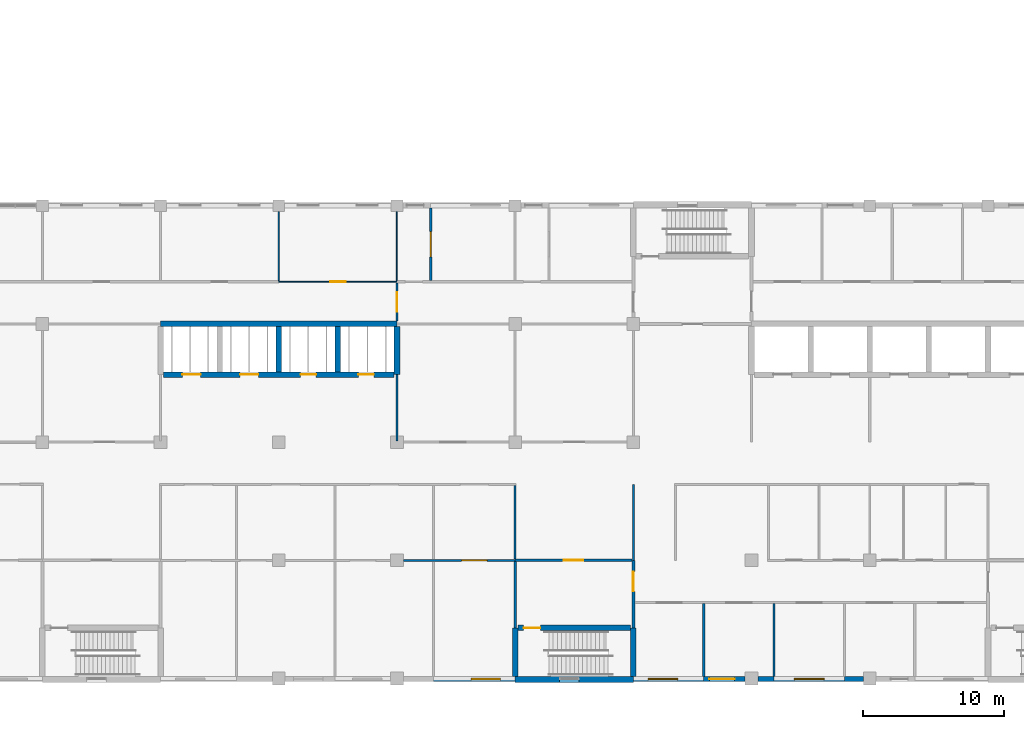
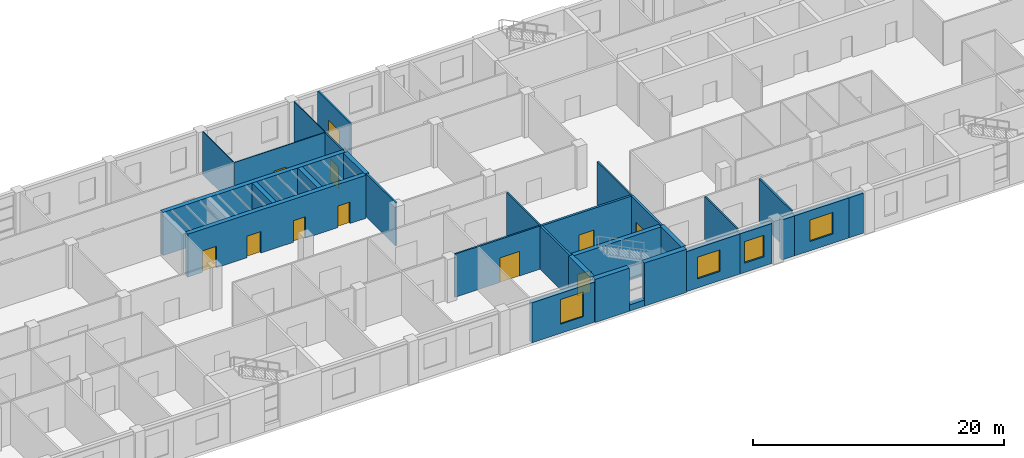
# One storey, part 39 of 66: 31 walls, 11 doors, 4 windows, 15 openings.
"""IFC4 building model written with IfcOpenShell, lengths in metres."""

from ifc_helpers import new_model, si_unit, direction, frame, frame_2d, origin, place, context, subcontext, project, spatial, rectangle, extrude, material, layer, layer_set, type_object, element, fill, save


model = new_model("IFC4")

# Units and contexts
model_context = context("Model", 3, precision=1e-05, world=origin(), true_north=direction((0.0, 1.0)))
body_context = subcontext(model_context, "Body", "Model", "MODEL_VIEW")
ifc_project = project(units=[si_unit("LENGTHUNIT", "METRE"), si_unit("AREAUNIT", "SQUARE_METRE"), si_unit("VOLUMEUNIT", "CUBIC_METRE"), si_unit("PLANEANGLEUNIT", "RADIAN"), si_unit("MASSUNIT", "GRAM", prefix="KILO")], contexts=[model_context])

# Site, building, storey
site_placement = place(None, origin())
site = spatial("IfcSite", under=ifc_project, at=site_placement, CompositionType="ELEMENT")
building_placement = place(site_placement, origin())
building = spatial("IfcBuilding", under=site, at=building_placement, Name="Yavir Park General Hospital", CompositionType="ELEMENT")
storey_placement = place(building_placement, frame((0.0, 0.0, 8.39990234375)))
storey = spatial("IfcBuildingStorey", under=building, at=storey_placement, Name="L02", CompositionType="ELEMENT", Elevation=8.39990234375)

# Wall, opening, door
ifc_material_1 = material(Name="Laminate-faced cubicle partition")
ifc_layer_1 = layer(ifc_material_1, 0.074951171875)
ifc_layer_set_1 = layer_set([ifc_layer_1], Name="Laminate-faced cubicle partition")
wall_type_1 = type_object("IfcWallType", Name="Cubicle partition 75", PredefinedType="PARTITIONING", material=ifc_layer_set_1)
wall_1_placement = place(storey_placement, frame((84.0, 28.199951171875, 0.0), z_axis=(0.0, 0.0, 1.0), x_axis=(1.0, 0.0, 0.0)))
wall_1 = element("IfcWall", 1, at=wall_1_placement, inside=storey, type_object=wall_type_1, Name="CP75 L02-075", PredefinedType="PARTITIONING", context=body_context, shape_type="SweptSolid", body=[
    extrude(rectangle(XDim=8.39990234375, YDim=0.074951171875, at=frame_2d((4.199951171875, 0.0))), origin(), (0.0, 0.0, 1.0), 4.2001953125),
])
opening_1_placement = place(wall_1_placement, frame((3.64990234375, 0.0, 0.0)))
opening_1 = element("IfcOpeningElement", 2, at=opening_1_placement, cuts=wall_1, Name="Opening L02.D086", PredefinedType="OPENING", context=body_context, shape_type="SweptSolid", body=[
    extrude(rectangle(XDim=1.10009765625, YDim=2.10009765625, at=frame_2d((0.550048828125, 1.050048828125))), frame((0.0, 0.04736328125, 0.0), z_axis=(0.0, -1.0, 0.0), x_axis=(1.0, 0.0, 0.0)), (0.0, 0.0, 1.0), 0.094970703125),
])
ifc_material_2 = material(Name="Hollow metal frame, solid-core timber leaf", Category="wood")
door_type_1 = type_object("IfcDoorType", Name="Single swing door 1100 x 2100", OperationType="SINGLE_SWING_LEFT", PredefinedType="DOOR", material=ifc_material_2)
door_1_placement = place(opening_1_placement, origin())
door_1 = element("IfcDoor", 3, at=door_1_placement, inside=storey, type_object=door_type_1, Name="L02.D086", OperationType="SINGLE_SWING_RIGHT", OverallHeight=2.10009765625, OverallWidth=1.10009765625, PredefinedType="DOOR", context=body_context, shape_type="SweptSolid", body=[
    extrude(rectangle(XDim=1.10009765625, YDim=2.10009765625, at=frame_2d((0.550048828125, 1.050048828125))), frame((0.0, 0.02490234375, 0.0), z_axis=(0.0, -1.0, 0.0), x_axis=(1.0, 0.0, 0.0)), (0.0, 0.0, 1.0), 0.050048828125),
])
fill(opening_1, door_1)

# Walls
for number, where, z_axis, x_axis, name in (
    (4, (84.0, 28.27490234375, 0.0), (0.0, 0.0, 1.0), (0.0, 1.0, 0.0), "CP75 L02-263"),
    (5, (92.39990234375, 28.27490234375, 0.0), (0.0, 0.0, 1.0), (0.0, 1.0, 0.0), "CP75 L02-270"),
):
    element("IfcWall", number, at=place(storey_placement, frame(where, z_axis=z_axis, x_axis=x_axis)), inside=storey, type_object=wall_type_1, Name=name, PredefinedType="PARTITIONING", context=body_context, shape_type="SweptSolid", body=[
        extrude(rectangle(XDim=4.900146484375, YDim=0.074951171875, at=frame_2d((2.4501953125, 0.0))), origin(), (0.0, 0.0, 1.0), 4.2001953125),
    ])

# Wall, opening, door
ifc_material_3 = material(Name="Double gypsum board fire partition on steel studs", Category="steel")
ifc_layer_2 = layer(ifc_material_3, 0.199951171875)
ifc_layer_set_2 = layer_set([ifc_layer_2], Name="Double gypsum board fire partition on steel studs")
wall_type_2 = type_object("IfcWallType", Name="Fire-rated partition 200, EI 60", PredefinedType="PARTITIONING", material=ifc_layer_set_2)
wall_2_placement = place(storey_placement, frame((100.800048828125, 8.39990234375, 0.0), z_axis=(0.0, 0.0, 1.0), x_axis=(1.0, 0.0, 0.0)))
wall_2 = element("IfcWall", 6, at=wall_2_placement, inside=storey, type_object=wall_type_2, Name="FP20 L02-019", PredefinedType="PARTITIONING", context=body_context, shape_type="SweptSolid", body=[
    extrude(rectangle(XDim=8.300048828125, YDim=0.199951171875, at=frame_2d((4.14990234375, 0.0))), origin(), (0.0, 0.0, 1.0), 4.2001953125),
])
opening_2_placement = place(wall_2_placement, frame((3.449951171875, 0.0, 0.0)))
opening_2 = element("IfcOpeningElement", 7, at=opening_2_placement, cuts=wall_2, Name="Opening L02.D029", PredefinedType="OPENING", context=body_context, shape_type="SweptSolid", body=[
    extrude(rectangle(XDim=1.39990234375, YDim=2.10009765625, at=frame_2d((0.699951171875, 1.050048828125))), frame((0.0, 0.10986328125, 0.0), z_axis=(0.0, -1.0, 0.0), x_axis=(1.0, 0.0, 0.0)), (0.0, 0.0, 1.0), 0.219970703125),
])
ifc_material_4 = material(Name="Steel frame, fire-resisting timber leaves", Category="steel")
door_type_2 = type_object("IfcDoorType", Name="Double fire door 1400 x 2100, EI 60", OperationType="DOUBLE_DOOR_SINGLE_SWING", PredefinedType="DOOR", material=ifc_material_4)
door_2_placement = place(opening_2_placement, origin())
door_2 = element("IfcDoor", 8, at=door_2_placement, inside=storey, type_object=door_type_2, Name="L02.D029", OperationType="SINGLE_SWING_LEFT", OverallHeight=2.10009765625, OverallWidth=1.39990234375, PredefinedType="DOOR", context=body_context, shape_type="SweptSolid", body=[
    extrude(rectangle(XDim=1.39990234375, YDim=2.10009765625, at=frame_2d((0.699951171875, 1.050048828125))), frame((0.0, 0.02490234375, 0.0), z_axis=(0.0, -1.0, 0.0), x_axis=(1.0, 0.0, 0.0)), (0.0, 0.0, 1.0), 0.050048828125),
])
fill(opening_2, door_2)

# Wall
wall_3_placement = place(storey_placement, frame((100.800048828125, 3.60009765625, 0.0), z_axis=(0.0, 0.0, 1.0), x_axis=(0.0, 1.0, 0.0)))
element("IfcWall", 9, at=wall_3_placement, inside=storey, type_object=wall_type_2, Name="FP20 L02-275", PredefinedType="PARTITIONING", context=body_context, shape_type="SweptSolid", body=[
    extrude(rectangle(XDim=4.699951171875, YDim=0.199951171875, at=frame_2d((2.35009765625, 0.0))), origin(), (0.0, 0.0, 1.0), 4.2001953125),
])

# Wall, opening, door
wall_4_placement = place(storey_placement, frame((109.199951171875, 3.60009765625, 0.0), z_axis=(0.0, 0.0, 1.0), x_axis=(0.0, 1.0, 0.0)))
wall_4 = element("IfcWall", 10, at=wall_4_placement, inside=storey, type_object=wall_type_2, Name="FP20 L02-281", PredefinedType="PARTITIONING", context=body_context, shape_type="SweptSolid", body=[
    extrude(rectangle(XDim=4.7998046875, YDim=0.199951171875, at=frame_2d((2.39990234375, 0.0))), origin(), (0.0, 0.0, 1.0), 4.2001953125),
])
opening_3_placement = place(wall_4_placement, frame((2.60009765625, 0.0, 0.0)))
opening_3 = element("IfcOpeningElement", 11, at=opening_3_placement, cuts=wall_4, Name="Opening L02.D181", PredefinedType="OPENING", context=body_context, shape_type="SweptSolid", body=[
    extrude(rectangle(XDim=1.39990234375, YDim=2.10009765625, at=frame_2d((0.699951171875, 1.050048828125))), frame((0.0, 0.10986328125, 0.0), z_axis=(0.0, -1.0, 0.0), x_axis=(1.0, 0.0, 0.0)), (0.0, 0.0, 1.0), 0.219970703125),
])
ifc_material_5 = material(Name="Steel frame, fire-resisting leaves with vision panels", Category="steel")
door_type_3 = type_object("IfcDoorType", Name="Double fire door with vision panels 1400 x 2100, EI 60", OperationType="DOUBLE_DOOR_SINGLE_SWING", PredefinedType="DOOR", material=ifc_material_5)
door_3_placement = place(opening_3_placement, origin())
door_3 = element("IfcDoor", 12, at=door_3_placement, inside=storey, type_object=door_type_3, Name="L02.D181", OperationType="SINGLE_SWING_LEFT", OverallHeight=2.10009765625, OverallWidth=1.39990234375, PredefinedType="DOOR", context=body_context, shape_type="SweptSolid", body=[
    extrude(rectangle(XDim=1.39990234375, YDim=2.10009765625, at=frame_2d((0.699951171875, 1.050048828125))), frame((0.0, 0.030029296875, 0.0), z_axis=(0.0, -1.0, 0.0), x_axis=(1.0, 0.0, 0.0)), (0.0, 0.0, 1.0), 0.06005859375),
])
fill(opening_3, door_3)

ifc_material_6 = material(Name="Gypsum board partition on steel studs", Category="steel")
ifc_layer_3 = layer(ifc_material_6, 0.14990234375)
ifc_layer_set_3 = layer_set([ifc_layer_3], Name="Gypsum board partition on steel studs")
wall_type_3 = type_object("IfcWallType", Name="Gypsum board partition 150", PredefinedType="PARTITIONING", material=ifc_layer_set_3)
wall_5_placement = place(storey_placement, frame((92.85009765625, 8.39990234375, 0.0), z_axis=(0.0, 0.0, 1.0), x_axis=(1.0, 0.0, 0.0)))
wall_5 = element("IfcWall", 13, at=wall_5_placement, inside=storey, type_object=wall_type_3, Name="P15 L02-018", PredefinedType="PARTITIONING", context=body_context, shape_type="SweptSolid", body=[
    extrude(rectangle(XDim=7.949951171875, YDim=0.14990234375, at=frame_2d((3.97509765625, 0.0))), origin(), (0.0, 0.0, 1.0), 4.2001953125),
])
opening_4_placement = place(wall_5_placement, frame((4.14990234375, 0.0, 0.0)))
opening_4 = element("IfcOpeningElement", 14, at=opening_4_placement, cuts=wall_5, Name="Opening L02.D028", PredefinedType="OPENING", context=body_context, shape_type="SweptSolid", body=[
    extrude(rectangle(XDim=1.800048828125, YDim=2.39990234375, at=frame_2d((0.89990234375, 1.199951171875))), frame((0.0, 0.0849609375, 0.0), z_axis=(0.0, -1.0, 0.0), x_axis=(1.0, 0.0, 0.0)), (0.0, 0.0, 1.0), 0.169921875),
])
ifc_material_7 = material(Name="Hermetic steel-faced sliding leaves, hygienic coating", Category="steel")
door_type_4 = type_object("IfcDoorType", Name="Sterile bi-parting sliding door 1800 x 2400", OperationType="DOUBLE_DOOR_SLIDING", PredefinedType="DOOR", material=ifc_material_7)
door_4_placement = place(opening_4_placement, origin())
door_4 = element("IfcDoor", 15, at=door_4_placement, inside=storey, type_object=door_type_4, Name="L02.D028", OperationType="DOUBLE_DOOR_SLIDING", OverallHeight=2.39990234375, OverallWidth=1.800048828125, PredefinedType="DOOR", context=body_context, shape_type="SweptSolid", body=[
    extrude(rectangle(XDim=1.800048828125, YDim=2.39990234375, at=frame_2d((0.89990234375, 1.199951171875))), frame((0.0, 0.044921875, 0.0), z_axis=(0.0, -1.0, 0.0), x_axis=(1.0, 0.0, 0.0)), (0.0, 0.0, 1.0), 0.090087890625),
])
fill(opening_4, door_4)

# Wall
wall_6_placement = place(storey_placement, frame((92.39990234375, 16.875, 0.0), z_axis=(0.0, 0.0, 1.0), x_axis=(0.0, 1.0, 0.0)))
element("IfcWall", 16, at=wall_6_placement, inside=storey, type_object=wall_type_3, Name="P15 L02-267", PredefinedType="PARTITIONING", context=body_context, shape_type="SweptSolid", body=[
    extrude(rectangle(XDim=4.72509765625, YDim=0.14990234375, at=frame_2d((2.362548828125, 0.0))), origin(), (0.0, 0.0, 1.0), 4.2001953125),
])

# Wall, opening, door
wall_7_placement = place(storey_placement, frame((92.39990234375, 25.39990234375, 0.0), z_axis=(0.0, 0.0, 1.0), x_axis=(0.0, 1.0, 0.0)))
wall_7 = element("IfcWall", 17, at=wall_7_placement, inside=storey, type_object=wall_type_3, Name="P15 L02-269", PredefinedType="PARTITIONING", context=body_context, shape_type="SweptSolid", body=[
    extrude(rectangle(XDim=2.72509765625, YDim=0.14990234375, at=frame_2d((1.362548828125, 0.0))), origin(), (0.0, 0.0, 1.0), 4.2001953125),
])
opening_5_placement = place(wall_7_placement, frame((0.66259765625, 0.0, 0.0)))
opening_5 = element("IfcOpeningElement", 18, at=opening_5_placement, cuts=wall_7, Name="Opening L02.D178", PredefinedType="OPENING", context=body_context, shape_type="SweptSolid", body=[
    extrude(rectangle(XDim=1.39990234375, YDim=2.10009765625, at=frame_2d((0.699951171875, 1.050048828125))), frame((0.0, 0.0849609375, 0.0), z_axis=(0.0, -1.0, 0.0), x_axis=(1.0, 0.0, 0.0)), (0.0, 0.0, 1.0), 0.169921875),
])
ifc_material_8 = material(Name="Hollow metal frame, solid-core timber leaf", Category="wood")
door_type_5 = type_object("IfcDoorType", Name="Double swing door 1400 x 2100", OperationType="DOUBLE_DOOR_SINGLE_SWING", PredefinedType="DOOR", material=ifc_material_8)
door_5_placement = place(opening_5_placement, origin())
door_5 = element("IfcDoor", 19, at=door_5_placement, inside=storey, type_object=door_type_5, Name="L02.D178", OperationType="SINGLE_SWING_LEFT", OverallHeight=2.10009765625, OverallWidth=1.39990234375, PredefinedType="DOOR", context=body_context, shape_type="SweptSolid", body=[
    extrude(rectangle(XDim=1.39990234375, YDim=2.10009765625, at=frame_2d((0.699951171875, 1.050048828125))), frame((0.0, 0.02490234375, 0.0), z_axis=(0.0, -1.0, 0.0), x_axis=(1.0, 0.0, 0.0)), (0.0, 0.0, 1.0), 0.050048828125),
])
fill(opening_5, door_5)

wall_8_placement = place(storey_placement, frame((94.800048828125, 28.27490234375, 0.0), z_axis=(0.0, 0.0, 1.0), x_axis=(0.0, 1.0, 0.0)))
wall_8 = element("IfcWall", 20, at=wall_8_placement, inside=storey, type_object=wall_type_3, Name="P15 L02-271", PredefinedType="PARTITIONING", context=body_context, shape_type="SweptSolid", body=[
    extrude(rectangle(XDim=5.175048828125, YDim=0.14990234375, at=frame_2d((2.58740234375, 0.0))), origin(), (0.0, 0.0, 1.0), 4.2001953125),
])
opening_6_placement = place(wall_8_placement, frame((1.6875, 0.0, 0.0)))
opening_6 = element("IfcOpeningElement", 21, at=opening_6_placement, cuts=wall_8, Name="Opening L02.D179", PredefinedType="OPENING", context=body_context, shape_type="SweptSolid", body=[
    extrude(rectangle(XDim=1.800048828125, YDim=2.39990234375, at=frame_2d((0.89990234375, 1.199951171875))), frame((0.0, 0.0849609375, 0.0), z_axis=(0.0, -1.0, 0.0), x_axis=(1.0, 0.0, 0.0)), (0.0, 0.0, 1.0), 0.169921875),
])
ifc_material_9 = material(Name="Sealed steel door leaves, compression seals", Category="steel")
door_type_6 = type_object("IfcDoorType", Name="Isolation airlock double door 1800 x 2400", OperationType="DOUBLE_DOOR_SINGLE_SWING", PredefinedType="DOOR", material=ifc_material_9)
door_6_placement = place(opening_6_placement, origin())
door_6 = element("IfcDoor", 22, at=door_6_placement, inside=storey, type_object=door_type_6, Name="L02.D179", OperationType="SINGLE_SWING_RIGHT", OverallHeight=2.39990234375, OverallWidth=1.800048828125, PredefinedType="DOOR", context=body_context, shape_type="SweptSolid", body=[
    extrude(rectangle(XDim=1.800048828125, YDim=2.39990234375, at=frame_2d((0.89990234375, 1.199951171875))), frame((0.0, 0.050048828125, 0.0), z_axis=(0.0, -1.0, 0.0), x_axis=(1.0, 0.0, 0.0)), (0.0, 0.0, 1.0), 0.10009765625),
])
fill(opening_6, door_6)

# Walls
wall_9_placement = place(storey_placement, frame((100.800048828125, 8.5, 0.0), z_axis=(0.0, 0.0, 1.0), x_axis=(0.0, 1.0, 0.0)))
element("IfcWall", 23, at=wall_9_placement, inside=storey, type_object=wall_type_3, Name="P15 L02-276", PredefinedType="PARTITIONING", context=body_context, shape_type="SweptSolid", body=[
    extrude(rectangle(XDim=5.22509765625, YDim=0.14990234375, at=frame_2d((2.612548828125, 0.0))), origin(), (0.0, 0.0, 1.0), 4.2001953125),
])
wall_10_placement = place(storey_placement, frame((109.199951171875, 8.39990234375, 0.0), z_axis=(0.0, 0.0, 1.0), x_axis=(0.0, 1.0, 0.0)))
element("IfcWall", 24, at=wall_10_placement, inside=storey, type_object=wall_type_3, Name="P15 L02-282", PredefinedType="PARTITIONING", context=body_context, shape_type="SweptSolid", body=[
    extrude(rectangle(XDim=5.400146484375, YDim=0.14990234375, at=frame_2d((2.7001953125, 0.0))), origin(), (0.0, 0.0, 1.0), 4.2001953125),
])
for number, where, z_axis, x_axis, name in (
    (25, (114.199951171875, 0.14990234375, 0.0), (0.0, 0.0, 1.0), (0.0, 1.0, 0.0), "P15 L02-287"),
    (26, (119.199951171875, 0.14990234375, 0.0), (0.0, 0.0, 1.0), (0.0, 1.0, 0.0), "P15 L02-293"),
):
    element("IfcWall", number, at=place(storey_placement, frame(where, z_axis=z_axis, x_axis=x_axis)), inside=storey, type_object=wall_type_3, Name=name, PredefinedType="PARTITIONING", context=body_context, shape_type="SweptSolid", body=[
        extrude(rectangle(XDim=5.175048828125, YDim=0.14990234375, at=frame_2d((2.58740234375, 0.0))), origin(), (0.0, 0.0, 1.0), 4.2001953125),
    ])

# Wall, opening, window
ifc_material_10 = material(Name="Autoclaved aerated block, 150 mm mineral wool and sand-coloured mineral render")
ifc_layer_4 = layer(ifc_material_10, 0.375)
ifc_layer_set_4 = layer_set([ifc_layer_4], Name="Autoclaved aerated block, 150 mm mineral wool and sand-coloured mineral render")
wall_type_4 = type_object("IfcWallType", Name="Mineral render clinical wall 375, E 30", PredefinedType="SOLIDWALL", material=ifc_layer_set_4)
wall_11_placement = place(storey_placement, frame((95.0, -0.03759765625, 0.0), z_axis=(0.0, 0.0, 1.0), x_axis=(1.0, 0.0, 0.0)))
wall_11 = element("IfcWall", 27, at=wall_11_placement, inside=storey, type_object=wall_type_4, Name="XW1 L02-024", PredefinedType="SOLIDWALL", context=body_context, shape_type="SweptSolid", body=[
    extrude(rectangle(XDim=5.800048828125, YDim=0.375, at=frame_2d((2.89990234375, 0.0))), origin(), (0.0, 0.0, 1.0), 3.900146484375),
])
opening_7_placement = place(wall_11_placement, frame((2.64990234375, 0.0, 0.89990234375)))
opening_7 = element("IfcOpeningElement", 28, at=opening_7_placement, cuts=wall_11, Name="Opening LVO2", PredefinedType="OPENING", context=body_context, shape_type="SweptSolid", body=[
    extrude(rectangle(XDim=2.10009765625, YDim=2.39990234375, at=frame_2d((1.050048828125, 1.199951171875))), frame((0.0, 0.197509765625, 0.0), z_axis=(0.0, -1.0, 0.0), x_axis=(1.0, 0.0, 0.0)), (0.0, 0.0, 1.0), 0.39501953125),
])
ifc_material_11 = material(Name="Anodised aluminium louvre blades in a deep frame", Category="aluminium")
window_type_1 = type_object("IfcWindowType", Name="Tall fixed louvre panel with insulated back panel 2100 x 2400", PartitioningType="SINGLE_PANEL", PredefinedType="WINDOW", material=ifc_material_11)
window_1_placement = place(opening_7_placement, origin())
window_1 = element("IfcWindow", 29, at=window_1_placement, inside=storey, type_object=window_type_1, Name="LVO2 L02-009", OverallHeight=2.39990234375, OverallWidth=2.10009765625, PartitioningType="SINGLE_PANEL", PredefinedType="WINDOW", context=body_context, shape_type="SweptSolid", body=[
    extrude(rectangle(XDim=2.10009765625, YDim=2.39990234375, at=frame_2d((1.050048828125, 1.199951171875))), frame((0.0, 0.074951171875, 0.0), z_axis=(0.0, -1.0, 0.0), x_axis=(1.0, 0.0, 0.0)), (0.0, 0.0, 1.0), 0.14990234375),
])
fill(opening_7, window_1)

wall_12_placement = place(storey_placement, frame((109.199951171875, -0.03759765625, 0.0), z_axis=(0.0, 0.0, 1.0), x_axis=(1.0, 0.0, 0.0)))
wall_12 = element("IfcWall", 30, at=wall_12_placement, inside=storey, type_object=wall_type_4, Name="XW1 L02-028", PredefinedType="SOLIDWALL", context=body_context, shape_type="SweptSolid", body=[
    extrude(rectangle(XDim=5.0, YDim=0.375, at=frame_2d((2.5, 0.0))), origin(), (0.0, 0.0, 1.0), 3.900146484375),
])
opening_8_placement = place(wall_12_placement, frame((1.050048828125, 0.0, 0.89990234375)))
opening_8 = element("IfcOpeningElement", 31, at=opening_8_placement, cuts=wall_12, Name="Opening WI2", PredefinedType="OPENING", context=body_context, shape_type="SweptSolid", body=[
    extrude(rectangle(XDim=2.10009765625, YDim=2.10009765625, at=frame_2d((1.050048828125, 1.050048828125))), frame((0.0, 0.197509765625, 0.0), z_axis=(0.0, -1.0, 0.0), x_axis=(1.0, 0.0, 0.0)), (0.0, 0.0, 1.0), 0.39501953125),
])
ifc_material_12 = material(Name="Aluminium frame, acoustic glazed unit", Category="aluminium")
window_type_2 = type_object("IfcWindowType", Name="Tall acoustic glazed window 2100 x 2100", PartitioningType="SINGLE_PANEL", PredefinedType="WINDOW", material=ifc_material_12)
window_2_placement = place(opening_8_placement, origin())
window_2 = element("IfcWindow", 32, at=window_2_placement, inside=storey, type_object=window_type_2, Name="WI2 L02-010", OverallHeight=2.10009765625, OverallWidth=2.10009765625, PartitioningType="SINGLE_PANEL", PredefinedType="WINDOW", context=body_context, shape_type="SweptSolid", body=[
    extrude(rectangle(XDim=2.10009765625, YDim=2.10009765625, at=frame_2d((1.050048828125, 1.050048828125))), frame((0.0, 0.044921875, 0.0), z_axis=(0.0, -1.0, 0.0), x_axis=(1.0, 0.0, 0.0)), (0.0, 0.0, 1.0), 0.090087890625),
])
fill(opening_8, window_2)

wall_13_placement = place(storey_placement, frame((114.199951171875, -0.03759765625, 0.0), z_axis=(0.0, 0.0, 1.0), x_axis=(1.0, 0.0, 0.0)))
wall_13 = element("IfcWall", 33, at=wall_13_placement, inside=storey, type_object=wall_type_4, Name="XW1 L02-029", PredefinedType="SOLIDWALL", context=body_context, shape_type="SweptSolid", body=[
    extrude(rectangle(XDim=2.949951171875, YDim=0.375, at=frame_2d((1.47509765625, 0.0))), origin(), (0.0, 0.0, 1.0), 3.900146484375),
])
opening_9_placement = place(wall_13_placement, frame((0.39990234375, 0.0, 0.89990234375)))
opening_9 = element("IfcOpeningElement", 34, at=opening_9_placement, cuts=wall_13, Name="Opening WG2", PredefinedType="OPENING", context=body_context, shape_type="SweptSolid", body=[
    extrude(rectangle(XDim=1.800048828125, YDim=2.10009765625, at=frame_2d((0.89990234375, 1.050048828125))), frame((0.0, 0.197509765625, 0.0), z_axis=(0.0, -1.0, 0.0), x_axis=(1.0, 0.0, 0.0)), (0.0, 0.0, 1.0), 0.39501953125),
])
ifc_material_13 = material(Name="Aluminium frame, double glazed unit", Category="aluminium")
window_type_3 = type_object("IfcWindowType", Name="Tall single-bay window 1800 x 2100", PartitioningType="DOUBLE_PANEL_VERTICAL", PredefinedType="WINDOW", material=ifc_material_13)
window_3_placement = place(opening_9_placement, origin())
window_3 = element("IfcWindow", 35, at=window_3_placement, inside=storey, type_object=window_type_3, Name="WG2 L02-011", OverallHeight=2.10009765625, OverallWidth=1.800048828125, PartitioningType="DOUBLE_PANEL_VERTICAL", PredefinedType="WINDOW", context=body_context, shape_type="SweptSolid", body=[
    extrude(rectangle(XDim=1.800048828125, YDim=2.10009765625, at=frame_2d((0.89990234375, 1.050048828125))), frame((0.0, 0.030029296875, 0.0), z_axis=(0.0, -1.0, 0.0), x_axis=(1.0, 0.0, 0.0)), (0.0, 0.0, 1.0), 0.06005859375),
])
fill(opening_9, window_3)

# Wall
wall_14_placement = place(storey_placement, frame((118.050048828125, -0.03759765625, 0.0), z_axis=(0.0, 0.0, 1.0), x_axis=(1.0, 0.0, 0.0)))
element("IfcWall", 36, at=wall_14_placement, inside=storey, type_object=wall_type_4, Name="XW1 L02-030", PredefinedType="SOLIDWALL", context=body_context, shape_type="SweptSolid", body=[
    extrude(rectangle(XDim=1.14990234375, YDim=0.375, at=frame_2d((0.574951171875, 0.0))), origin(), (0.0, 0.0, 1.0), 3.900146484375),
])

# Wall, opening, window
wall_15_placement = place(storey_placement, frame((119.199951171875, -0.03759765625, 0.0), z_axis=(0.0, 0.0, 1.0), x_axis=(1.0, 0.0, 0.0)))
wall_15 = element("IfcWall", 37, at=wall_15_placement, inside=storey, type_object=wall_type_4, Name="XW1 L02-031", PredefinedType="SOLIDWALL", context=body_context, shape_type="SweptSolid", body=[
    extrude(rectangle(XDim=5.0, YDim=0.375, at=frame_2d((2.5, 0.0))), origin(), (0.0, 0.0, 1.0), 3.900146484375),
])
opening_10_placement = place(wall_15_placement, frame((1.449951171875, 0.0, 0.89990234375)))
opening_10 = element("IfcOpeningElement", 38, at=opening_10_placement, cuts=wall_15, Name="Opening WI2", PredefinedType="OPENING", context=body_context, shape_type="SweptSolid", body=[
    extrude(rectangle(XDim=2.10009765625, YDim=2.10009765625, at=frame_2d((1.050048828125, 1.050048828125))), frame((0.0, 0.197509765625, 0.0), z_axis=(0.0, -1.0, 0.0), x_axis=(1.0, 0.0, 0.0)), (0.0, 0.0, 1.0), 0.39501953125),
])
window_4_placement = place(opening_10_placement, origin())
window_4 = element("IfcWindow", 39, at=window_4_placement, inside=storey, type_object=window_type_2, Name="WI2 L02-012", OverallHeight=2.10009765625, OverallWidth=2.10009765625, PartitioningType="SINGLE_PANEL", PredefinedType="WINDOW", context=body_context, shape_type="SweptSolid", body=[
    extrude(rectangle(XDim=2.10009765625, YDim=2.10009765625, at=frame_2d((1.050048828125, 1.050048828125))), frame((0.0, 0.044921875, 0.0), z_axis=(0.0, -1.0, 0.0), x_axis=(1.0, 0.0, 0.0)), (0.0, 0.0, 1.0), 0.090087890625),
])
fill(opening_10, window_4)

# Wall
wall_16_placement = place(storey_placement, frame((124.199951171875, -0.03759765625, 0.0), z_axis=(0.0, 0.0, 1.0), x_axis=(1.0, 0.0, 0.0)))
element("IfcWall", 40, at=wall_16_placement, inside=storey, type_object=wall_type_4, Name="XW1 L02-032", PredefinedType="SOLIDWALL", context=body_context, shape_type="SweptSolid", body=[
    extrude(rectangle(XDim=1.35009765625, YDim=0.375, at=frame_2d((0.675048828125, 0.0))), origin(), (0.0, 0.0, 1.0), 3.900146484375),
])

# Wall, opening, door
ifc_material_14 = material(Name="Concrete C35/45", Category="concrete")
ifc_layer_5 = layer(ifc_material_14, 0.39990234375)
ifc_layer_set_5 = layer_set([ifc_layer_5], Name="Concrete C35/45")
wall_type_5 = type_object("IfcWallType", Name="Reinforced concrete core wall 400, REI 150", PredefinedType="SHEAR", material=ifc_layer_set_5)
wall_17_placement = place(storey_placement, frame((101.0, 3.60009765625, 0.0), z_axis=(0.0, 0.0, 1.0), x_axis=(1.0, 0.0, 0.0)))
wall_17 = element("IfcWall", 41, at=wall_17_placement, inside=storey, type_object=wall_type_5, Name="CW40 L02-003", PredefinedType="SHEAR", context=body_context, shape_type="SweptSolid", body=[
    extrude(rectangle(XDim=8.0, YDim=0.39990234375, at=frame_2d((4.0, 0.0))), origin(), (0.0, 0.0, 1.0), 4.2001953125),
])
opening_11_placement = place(wall_17_placement, frame((0.39990234375, 0.0, 0.0)))
opening_11 = element("IfcOpeningElement", 42, at=opening_11_placement, cuts=wall_17, Name="Opening L02.D003", PredefinedType="OPENING", context=body_context, shape_type="SweptSolid", body=[
    extrude(rectangle(XDim=1.199951171875, YDim=2.10009765625, at=frame_2d((0.60009765625, 1.050048828125))), frame((0.0, 0.2099609375, 0.0), z_axis=(0.0, -1.0, 0.0), x_axis=(1.0, 0.0, 0.0)), (0.0, 0.0, 1.0), 0.419921875),
])
ifc_material_15 = material(Name="Steel frame, fire-resisting timber leaf", Category="steel")
door_type_7 = type_object("IfcDoorType", Name="Fire door 1200 x 2100, EI 60", OperationType="SINGLE_SWING_LEFT", PredefinedType="DOOR", material=ifc_material_15)
door_7_placement = place(opening_11_placement, origin())
door_7 = element("IfcDoor", 43, at=door_7_placement, inside=storey, type_object=door_type_7, Name="L02.D003", OperationType="SINGLE_SWING_LEFT", OverallHeight=2.10009765625, OverallWidth=1.199951171875, PredefinedType="DOOR", context=body_context, shape_type="SweptSolid", body=[
    extrude(rectangle(XDim=1.199951171875, YDim=2.10009765625, at=frame_2d((0.60009765625, 1.050048828125))), frame((0.0, 0.02490234375, 0.0), z_axis=(0.0, -1.0, 0.0), x_axis=(1.0, 0.0, 0.0)), (0.0, 0.0, 1.0), 0.050048828125),
])
fill(opening_11, door_7)

# Wall, openings, doors
wall_18_placement = place(storey_placement, frame((75.800048828125, 21.60009765625, 0.0), z_axis=(0.0, 0.0, 1.0), x_axis=(1.0, 0.0, 0.0)))
wall_18 = element("IfcWall", 44, at=wall_18_placement, inside=storey, type_object=wall_type_5, Name="CW40 L02-051", PredefinedType="SHEAR", context=body_context, shape_type="SweptSolid", body=[
    extrude(rectangle(XDim=16.39990234375, YDim=0.39990234375, at=frame_2d((8.199951171875, 0.0))), origin(), (0.0, 0.0, 1.0), 4.2001953125),
])
opening_12_placement = place(wall_18_placement, frame((1.35009765625, 0.0, 0.0)))
opening_12 = element("IfcOpeningElement", 45, at=opening_12_placement, cuts=wall_18, Name="Opening L02.D064", PredefinedType="OPENING", context=body_context, shape_type="SweptSolid", body=[
    extrude(rectangle(XDim=1.300048828125, YDim=2.10009765625, at=frame_2d((0.64990234375, 1.050048828125))), frame((0.0, 0.2099609375, 0.0), z_axis=(0.0, -1.0, 0.0), x_axis=(1.0, 0.0, 0.0)), (0.0, 0.0, 1.0), 0.419921875),
])
opening_13_placement = place(wall_18_placement, frame((5.449951171875, 0.0, 0.0)))
opening_13 = element("IfcOpeningElement", 46, at=opening_13_placement, cuts=wall_18, Name="Opening L02.D065", PredefinedType="OPENING", context=body_context, shape_type="SweptSolid", body=[
    extrude(rectangle(XDim=1.300048828125, YDim=2.10009765625, at=frame_2d((0.64990234375, 1.050048828125))), frame((0.0, 0.2099609375, 0.0), z_axis=(0.0, -1.0, 0.0), x_axis=(1.0, 0.0, 0.0)), (0.0, 0.0, 1.0), 0.419921875),
])
opening_14_placement = place(wall_18_placement, frame((9.75, 0.0, 0.0)))
opening_14 = element("IfcOpeningElement", 47, at=opening_14_placement, cuts=wall_18, Name="Opening L02.D066", PredefinedType="OPENING", context=body_context, shape_type="SweptSolid", body=[
    extrude(rectangle(XDim=1.10009765625, YDim=2.10009765625, at=frame_2d((0.550048828125, 1.050048828125))), frame((0.0, 0.2099609375, 0.0), z_axis=(0.0, -1.0, 0.0), x_axis=(1.0, 0.0, 0.0)), (0.0, 0.0, 1.0), 0.419921875),
])
opening_15_placement = place(wall_18_placement, frame((13.85009765625, 0.0, 0.0)))
opening_15 = element("IfcOpeningElement", 48, at=opening_15_placement, cuts=wall_18, Name="Opening L02.D067", PredefinedType="OPENING", context=body_context, shape_type="SweptSolid", body=[
    extrude(rectangle(XDim=1.10009765625, YDim=2.10009765625, at=frame_2d((0.550048828125, 1.050048828125))), frame((0.0, 0.2099609375, 0.0), z_axis=(0.0, -1.0, 0.0), x_axis=(1.0, 0.0, 0.0)), (0.0, 0.0, 1.0), 0.419921875),
])
ifc_material_16 = material(Name="Stainless steel landing door panels", Category="steel")
door_type_8 = type_object("IfcDoorType", Name="Lift landing door 1100 x 2100, EI 60", OperationType="SLIDING_TO_LEFT", PredefinedType="DOOR", material=ifc_material_16)
door_8_placement = place(opening_14_placement, origin())
door_8 = element("IfcDoor", 49, at=door_8_placement, inside=storey, type_object=door_type_8, Name="L02.D066", OperationType="SLIDING_TO_LEFT", OverallHeight=2.10009765625, OverallWidth=1.10009765625, PredefinedType="DOOR", context=body_context, shape_type="SweptSolid", body=[
    extrude(rectangle(XDim=1.10009765625, YDim=2.10009765625, at=frame_2d((0.550048828125, 1.050048828125))), frame((0.0, 0.02490234375, 0.0), z_axis=(0.0, -1.0, 0.0), x_axis=(1.0, 0.0, 0.0)), (0.0, 0.0, 1.0), 0.050048828125),
])
fill(opening_14, door_8)
door_9_placement = place(opening_15_placement, origin())
door_9 = element("IfcDoor", 50, at=door_9_placement, inside=storey, type_object=door_type_8, Name="L02.D067", OperationType="SLIDING_TO_LEFT", OverallHeight=2.10009765625, OverallWidth=1.10009765625, PredefinedType="DOOR", context=body_context, shape_type="SweptSolid", body=[
    extrude(rectangle(XDim=1.10009765625, YDim=2.10009765625, at=frame_2d((0.550048828125, 1.050048828125))), frame((0.0, 0.02490234375, 0.0), z_axis=(0.0, -1.0, 0.0), x_axis=(1.0, 0.0, 0.0)), (0.0, 0.0, 1.0), 0.050048828125),
])
fill(opening_15, door_9)
ifc_material_17 = material(Name="Stainless steel landing door panels", Category="steel")
door_type_9 = type_object("IfcDoorType", Name="Lift landing door 1300 x 2100, EI 60", OperationType="SLIDING_TO_LEFT", PredefinedType="DOOR", material=ifc_material_17)
door_10_placement = place(opening_12_placement, origin())
door_10 = element("IfcDoor", 51, at=door_10_placement, inside=storey, type_object=door_type_9, Name="L02.D064", OperationType="SLIDING_TO_LEFT", OverallHeight=2.10009765625, OverallWidth=1.300048828125, PredefinedType="DOOR", context=body_context, shape_type="SweptSolid", body=[
    extrude(rectangle(XDim=1.300048828125, YDim=2.10009765625, at=frame_2d((0.64990234375, 1.050048828125))), frame((0.0, 0.02490234375, 0.0), z_axis=(0.0, -1.0, 0.0), x_axis=(1.0, 0.0, 0.0)), (0.0, 0.0, 1.0), 0.050048828125),
])
fill(opening_12, door_10)
door_11_placement = place(opening_13_placement, origin())
door_11 = element("IfcDoor", 52, at=door_11_placement, inside=storey, type_object=door_type_9, Name="L02.D065", OperationType="SLIDING_TO_LEFT", OverallHeight=2.10009765625, OverallWidth=1.300048828125, PredefinedType="DOOR", context=body_context, shape_type="SweptSolid", body=[
    extrude(rectangle(XDim=1.300048828125, YDim=2.10009765625, at=frame_2d((0.64990234375, 1.050048828125))), frame((0.0, 0.02490234375, 0.0), z_axis=(0.0, -1.0, 0.0), x_axis=(1.0, 0.0, 0.0)), (0.0, 0.0, 1.0), 0.050048828125),
])
fill(opening_13, door_11)

# Walls
wall_19_placement = place(storey_placement, frame((75.60009765625, 25.199951171875, 0.0), z_axis=(0.0, 0.0, 1.0), x_axis=(1.0, 0.0, 0.0)))
element("IfcWall", 53, at=wall_19_placement, inside=storey, type_object=wall_type_5, Name="CW40 L02-064", PredefinedType="SHEAR", context=body_context, shape_type="SweptSolid", body=[
    extrude(rectangle(XDim=16.7998046875, YDim=0.39990234375, at=frame_2d((8.39990234375, 0.0))), origin(), (0.0, 0.0, 1.0), 4.2001953125),
])
for number, where, z_axis, x_axis, name in (
    (54, (84.0, 21.800048828125, 0.0), (0.0, 0.0, 1.0), (0.0, 1.0, 0.0), "CW40 L02-262"),
    (55, (88.199951171875, 21.800048828125, 0.0), (0.0, 0.0, 1.0), (0.0, 1.0, 0.0), "CW40 L02-266"),
):
    element("IfcWall", number, at=place(storey_placement, frame(where, z_axis=z_axis, x_axis=x_axis)), inside=storey, type_object=wall_type_5, Name=name, PredefinedType="SHEAR", context=body_context, shape_type="SweptSolid", body=[
        extrude(rectangle(XDim=3.199951171875, YDim=0.39990234375, at=frame_2d((1.60009765625, 0.0))), origin(), (0.0, 0.0, 1.0), 4.2001953125),
    ])
wall_20_placement = place(storey_placement, frame((92.39990234375, 21.60009765625, 0.0), z_axis=(0.0, 0.0, 1.0), x_axis=(0.0, 1.0, 0.0)))
element("IfcWall", 56, at=wall_20_placement, inside=storey, type_object=wall_type_5, Name="CW40 L02-268", PredefinedType="SHEAR", context=body_context, shape_type="SweptSolid", body=[
    extrude(rectangle(XDim=3.39990234375, YDim=0.39990234375, at=frame_2d((1.699951171875, 0.0))), origin(), (0.0, 0.0, 1.0), 4.2001953125),
])
for number, where, z_axis, x_axis, name in (
    (57, (100.800048828125, 0.14990234375, 0.0), (0.0, 0.0, 1.0), (0.0, 1.0, 0.0), "CW40 L02-274"),
    (58, (109.199951171875, 0.14990234375, 0.0), (0.0, 0.0, 1.0), (0.0, 1.0, 0.0), "CW40 L02-280"),
):
    element("IfcWall", number, at=place(storey_placement, frame(where, z_axis=z_axis, x_axis=x_axis)), inside=storey, type_object=wall_type_5, Name=name, PredefinedType="SHEAR", context=body_context, shape_type="SweptSolid", body=[
        extrude(rectangle(XDim=3.4501953125, YDim=0.39990234375, at=frame_2d((1.72509765625, 0.0))), origin(), (0.0, 0.0, 1.0), 4.2001953125),
    ])
ifc_material_18 = material(Name="Concrete C30/37 precast panel with 150 mm mineral wool insulation", Category="concrete")
ifc_layer_6 = layer(ifc_material_18, 0.449951171875)
ifc_layer_set_6 = layer_set([ifc_layer_6], Name="Concrete C30/37 precast panel with 150 mm mineral wool insulation")
wall_type_6 = type_object("IfcWallType", Name="Stair enclosure wall 450, REI 150", PredefinedType="SOLIDWALL", material=ifc_layer_set_6)
wall_21_placement = place(storey_placement, frame((100.800048828125, -0.074951171875, 0.0), z_axis=(0.0, 0.0, 1.0), x_axis=(1.0, 0.0, 0.0)))
element("IfcWall", 59, at=wall_21_placement, inside=storey, type_object=wall_type_6, Name="XW6 L02-025", PredefinedType="SOLIDWALL", context=body_context, shape_type="SweptSolid", body=[
    extrude(rectangle(XDim=3.14990234375, YDim=0.449951171875, at=frame_2d((1.574951171875, 0.0))), origin(), (0.0, 0.0, 1.0), 4.2001953125),
])
wall_22_placement = place(storey_placement, frame((105.35009765625, -0.074951171875, 0.0), z_axis=(0.0, 0.0, 1.0), x_axis=(1.0, 0.0, 0.0)))
element("IfcWall", 60, at=wall_22_placement, inside=storey, type_object=wall_type_6, Name="XW6 L02-026", PredefinedType="SOLIDWALL", context=body_context, shape_type="SweptSolid", body=[
    extrude(rectangle(XDim=3.849853515625, YDim=0.449951171875, at=frame_2d((1.9248046875, 0.0))), origin(), (0.0, 0.0, 1.0), 4.2001953125),
])
wall_23_placement = place(storey_placement, frame((103.949951171875, -0.074951171875, 0.0), z_axis=(0.0, 0.0, 1.0), x_axis=(1.0, 0.0, 0.0)))
element("IfcWall", 61, at=wall_23_placement, inside=storey, type_object=wall_type_6, Name="XW6 L02-027", PredefinedType="SOLIDWALL", context=body_context, shape_type="SweptSolid", body=[
    extrude(rectangle(XDim=1.400146484375, YDim=0.449951171875, at=frame_2d((0.7001953125, 0.0))), origin(), (0.0, 0.0, 1.0), 0.60009765625),
])

save(model, "model.ifc")
